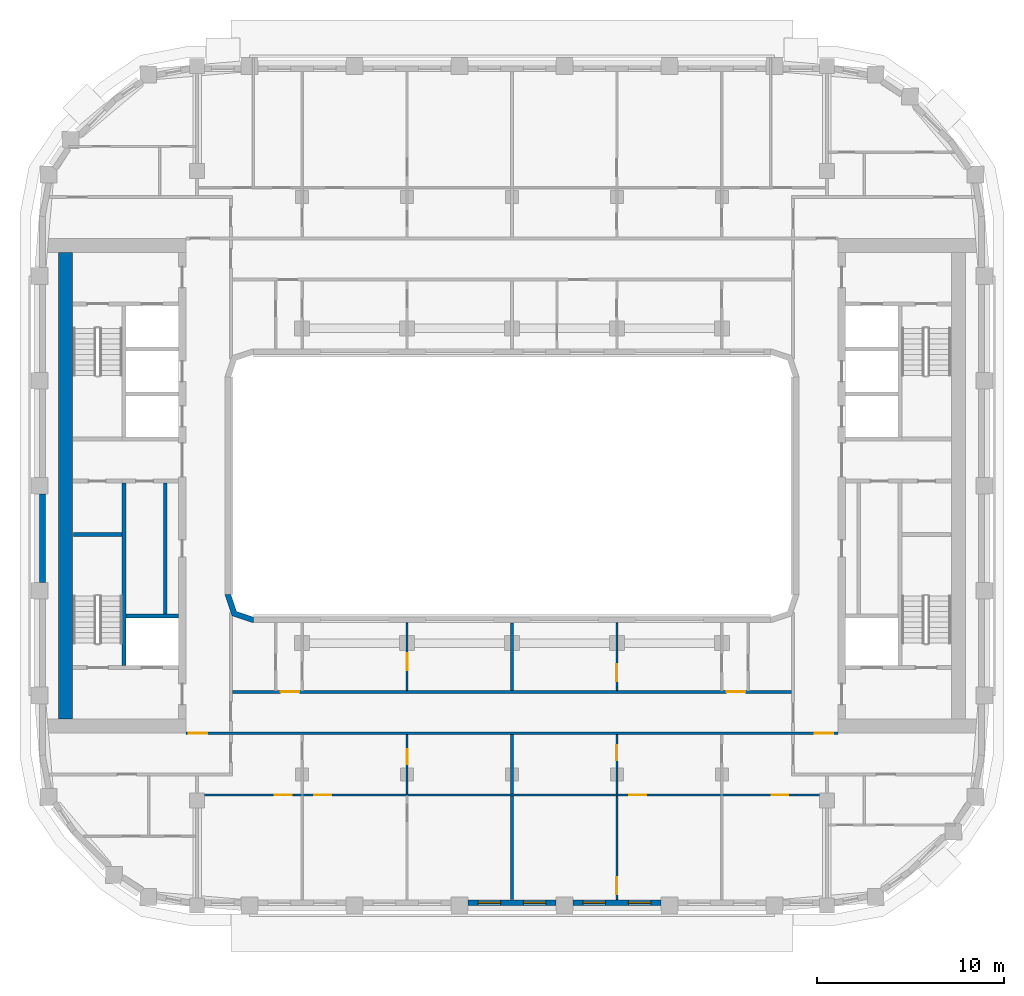
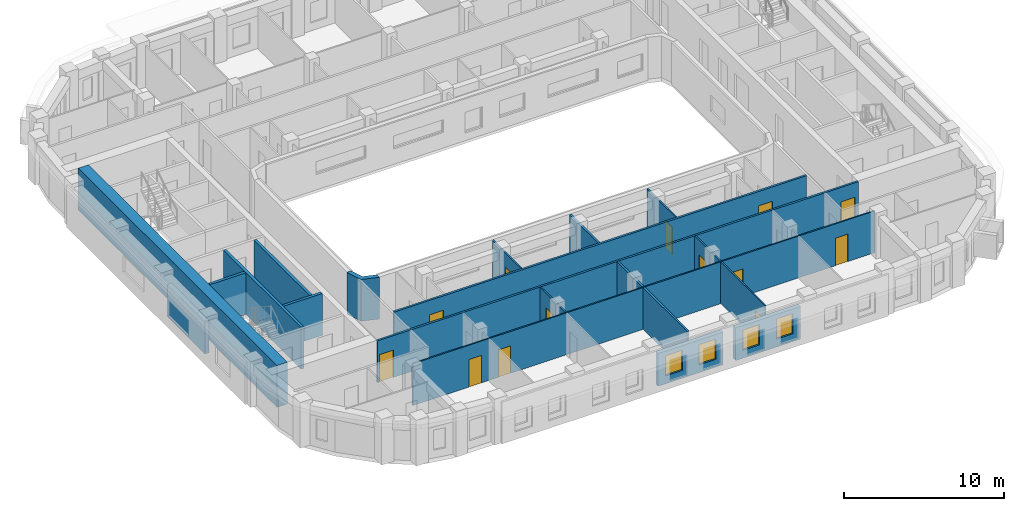
# One storey, part 3 of 21: 20 walls, 13 doors, 4 windows, 17 openings.
"""IFC4 building model written with IfcOpenShell, lengths in metres."""

from ifc_helpers import new_model, si_unit, direction, frame, frame_2d, origin, place, context, subcontext, project, spatial, polyline, rectangle, outline, extrude, material, layer, layer_set, type_object, element, fill, save


model = new_model("IFC4")

# Units and contexts
model_context = context("Model", 3, precision=1e-05, world=origin(), true_north=direction((0.0, 1.0)))
body_context = subcontext(model_context, "Body", "Model", "MODEL_VIEW")
ifc_project = project(units=[si_unit("LENGTHUNIT", "METRE"), si_unit("AREAUNIT", "SQUARE_METRE"), si_unit("VOLUMEUNIT", "CUBIC_METRE"), si_unit("PLANEANGLEUNIT", "RADIAN"), si_unit("MASSUNIT", "GRAM", prefix="KILO")], contexts=[model_context])

# Site, building, storey
site_placement = place(None, origin())
site = spatial("IfcSite", under=ifc_project, at=site_placement, CompositionType="ELEMENT")
building_placement = place(site_placement, origin())
building = spatial("IfcBuilding", under=site, at=building_placement, Name="Kiln Ring Residences", CompositionType="ELEMENT")
storey_placement = place(building_placement, frame((0.0, 0.0, 199.39990234375)))
storey = spatial("IfcBuildingStorey", under=building, at=storey_placement, Name="L51", CompositionType="ELEMENT", Elevation=199.39990234375)

# Walls
ifc_material_1 = material(Name="Gypsum board on steel studs", Category="steel")
ifc_layer_1 = layer(ifc_material_1, 0.199951171875)
ifc_layer_set_1 = layer_set([ifc_layer_1], Name="CORE-PARTITION-200")
wall_type_1 = type_object("IfcWallType", Name="CORE-PARTITION-200", PredefinedType="PARTITIONING", material=ifc_layer_set_1)
wall_1_placement = place(storey_placement, frame((-18.5, -6.85009765625, 0.0), z_axis=(0.0, 0.0, 1.0), x_axis=(0.0, 1.0, 0.0)))
element("IfcWall", 1, at=wall_1_placement, inside=storey, type_object=wall_type_1, Name="Core partition west L51 2", PredefinedType="PARTITIONING", context=body_context, shape_type="SweptSolid", body=[
    extrude(rectangle(XDim=7.0, YDim=0.199951171875, at=frame_2d((3.5, 0.0))), origin(), (0.0, 0.0, 1.0), 3.2001953125),
])
ifc_material_2 = material(Name="Gypsum shaft wall system")
ifc_layer_2 = layer(ifc_material_2, 0.199951171875)
ifc_layer_set_2 = layer_set([ifc_layer_2], Name="CORE-SHAFT-WALL-200")
wall_type_2 = type_object("IfcWallType", Name="CORE-SHAFT-WALL-200", PredefinedType="PARTITIONING", material=ifc_layer_set_2)
wall_2_placement = place(storey_placement, frame((-17.800048828125, -6.949951171875, 0.0), z_axis=(0.0, 0.0, 1.0), x_axis=(-1.0, 0.0, 0.0)))
element("IfcWall", 2, at=wall_2_placement, inside=storey, type_object=wall_type_2, Name="Core partition west L51 3", PredefinedType="PARTITIONING", context=body_context, shape_type="SweptSolid", body=[
    extrude(rectangle(XDim=2.800048828125, YDim=0.199951171875, at=frame_2d((1.39990234375, 0.0))), origin(), (0.0, 0.0, 1.0), 3.2001953125),
])
ifc_material_3 = material(Name="Concrete C40/50", Category="concrete")
ifc_layer_3 = layer(ifc_material_3, 0.199951171875)
ifc_layer_set_3 = layer_set([ifc_layer_3], Name="CORE-WALL-RC200")
wall_type_3 = type_object("IfcWallType", Name="CORE-WALL-RC200", PredefinedType="SHEAR", material=ifc_layer_set_3)
wall_3_placement = place(storey_placement, frame((-20.699951171875, -9.60009765625, 0.0), z_axis=(0.0, 0.0, 1.0), x_axis=(0.0, 1.0, 0.0)))
element("IfcWall", 3, at=wall_3_placement, inside=storey, type_object=wall_type_3, Name="Core wall west L51 2", PredefinedType="SHEAR", context=body_context, shape_type="SweptSolid", body=[
    extrude(rectangle(XDim=9.75, YDim=0.199951171875, at=frame_2d((4.875, 0.0))), origin(), (0.0, 0.0, 1.0), 3.2001953125),
])
wall_4_placement = place(storey_placement, frame((-20.800048828125, -2.60009765625, 0.0), z_axis=(0.0, 0.0, 1.0), x_axis=(-1.0, 0.0, 0.0)))
element("IfcWall", 4, at=wall_4_placement, inside=storey, type_object=wall_type_3, Name="Core wall west L51 10", PredefinedType="SHEAR", context=body_context, shape_type="SweptSolid", body=[
    extrude(rectangle(XDim=2.599853515625, YDim=0.199951171875, at=frame_2d((1.2998046875, 0.0))), origin(), (0.0, 0.0, 1.0), 3.2001953125),
])
ifc_material_4 = material(Name="Concrete C60/75", Category="concrete")
ifc_layer_4 = layer(ifc_material_4, 0.75)
ifc_layer_set_4 = layer_set([ifc_layer_4], Name="CORE-WALL-RC750")
wall_type_4 = type_object("IfcWallType", Name="CORE-WALL-RC750", PredefinedType="SHEAR", material=ifc_layer_set_4)
wall_5_placement = place(storey_placement, frame((-23.824951171875, -12.449951171875, 0.0), z_axis=(0.0, 0.0, 1.0), x_axis=(0.0, 1.0, 0.0)))
element("IfcWall", 5, at=wall_5_placement, inside=storey, type_object=wall_type_4, Name="Core wall west L51 7", PredefinedType="SHEAR", context=body_context, shape_type="SweptSolid", body=[
    extrude(rectangle(XDim=24.89990234375, YDim=0.75, at=frame_2d((12.449951171875, 0.0))), origin(), (0.0, 0.0, 1.0), 3.2001953125),
])

# Wall, openings, windows
ifc_material_5 = material(Name="Brick masonry, dark clay brick", Category="masonry")
ifc_layer_5 = layer(ifc_material_5, 0.300048828125)
ifc_layer_set_5 = layer_set([ifc_layer_5], Name="EW-300 BRICK WALL")
wall_type_5 = type_object("IfcWallType", Name="EW-300 BRICK WALL", PredefinedType="SOLIDWALL", material=ifc_layer_set_5)
wall_6_placement = place(storey_placement, frame((-2.35009765625, -22.25, 0.0), z_axis=(0.0, 0.0, 1.0), x_axis=(1.0, 0.0, 0.0)))
wall_6 = element("IfcWall", 6, at=wall_6_placement, inside=storey, type_object=wall_type_5, Name="Facade wall L51 7", PredefinedType="SOLIDWALL", context=body_context, shape_type="SweptSolid", body=[
    extrude(rectangle(XDim=4.7001953125, YDim=0.300048828125, at=frame_2d((2.35009765625, 0.0))), origin(), (0.0, 0.0, 1.0), 2.5),
])
opening_1_placement = place(wall_6_placement, frame((0.53759765625, 0.0, 0.60009765625)))
opening_1 = element("IfcOpeningElement", 7, at=opening_1_placement, cuts=wall_6, Name="Opening W1", PredefinedType="OPENING", context=body_context, shape_type="SweptSolid", body=[
    extrude(rectangle(XDim=1.199951171875, YDim=1.550048828125, at=frame_2d((0.60009765625, 0.77490234375))), frame((0.0, 0.159912109375, 0.0), z_axis=(0.0, -1.0, 0.0), x_axis=(1.0, 0.0, 0.0)), (0.0, 0.0, 1.0), 0.320068359375),
])
opening_2_placement = place(wall_6_placement, frame((2.96240234375, 0.0, 0.60009765625)))
opening_2 = element("IfcOpeningElement", 8, at=opening_2_placement, cuts=wall_6, Name="Opening W1", PredefinedType="OPENING", context=body_context, shape_type="SweptSolid", body=[
    extrude(rectangle(XDim=1.199951171875, YDim=1.550048828125, at=frame_2d((0.60009765625, 0.77490234375))), frame((0.0, 0.159912109375, 0.0), z_axis=(0.0, -1.0, 0.0), x_axis=(1.0, 0.0, 0.0)), (0.0, 0.0, 1.0), 0.320068359375),
])
ifc_material_6 = material(Name="Aluminium frame with double glazing", Category="aluminium")
window_type = type_object("IfcWindowType", Name="WINDOW 1200 x 1550", PartitioningType="SINGLE_PANEL", PredefinedType="WINDOW", material=ifc_material_6)
window_1_placement = place(opening_1_placement, origin())
window_1 = element("IfcWindow", 9, at=window_1_placement, inside=storey, type_object=window_type, Name="Window L51 7", OverallHeight=1.550048828125, OverallWidth=1.199951171875, PartitioningType="SINGLE_PANEL", PredefinedType="WINDOW", context=body_context, shape_type="SweptSolid", body=[
    extrude(rectangle(XDim=1.199951171875, YDim=1.550048828125, at=frame_2d((0.60009765625, 0.77490234375))), frame((0.0, 0.030029296875, 0.0), z_axis=(0.0, -1.0, 0.0), x_axis=(1.0, 0.0, 0.0)), (0.0, 0.0, 1.0), 0.06005859375),
])
fill(opening_1, window_1)
window_2_placement = place(opening_2_placement, origin())
window_2 = element("IfcWindow", 10, at=window_2_placement, inside=storey, type_object=window_type, Name="Window L51 8", OverallHeight=1.550048828125, OverallWidth=1.199951171875, PartitioningType="SINGLE_PANEL", PredefinedType="WINDOW", context=body_context, shape_type="SweptSolid", body=[
    extrude(rectangle(XDim=1.199951171875, YDim=1.550048828125, at=frame_2d((0.60009765625, 0.77490234375))), frame((0.0, 0.030029296875, 0.0), z_axis=(0.0, -1.0, 0.0), x_axis=(1.0, 0.0, 0.0)), (0.0, 0.0, 1.0), 0.06005859375),
])
fill(opening_2, window_2)

wall_7_placement = place(storey_placement, frame((3.25, -22.25, 0.0), z_axis=(0.0, 0.0, 1.0), x_axis=(1.0, 0.0, 0.0)))
wall_7 = element("IfcWall", 11, at=wall_7_placement, inside=storey, type_object=wall_type_5, Name="Facade wall L51 8", PredefinedType="SOLIDWALL", context=body_context, shape_type="SweptSolid", body=[
    extrude(rectangle(XDim=4.699951171875, YDim=0.300048828125, at=frame_2d((2.35009765625, 0.0))), origin(), (0.0, 0.0, 1.0), 2.5),
])
opening_3_placement = place(wall_7_placement, frame((0.53759765625, 0.0, 0.60009765625)))
opening_3 = element("IfcOpeningElement", 12, at=opening_3_placement, cuts=wall_7, Name="Opening W1", PredefinedType="OPENING", context=body_context, shape_type="SweptSolid", body=[
    extrude(rectangle(XDim=1.199951171875, YDim=1.550048828125, at=frame_2d((0.60009765625, 0.77490234375))), frame((0.0, 0.159912109375, 0.0), z_axis=(0.0, -1.0, 0.0), x_axis=(1.0, 0.0, 0.0)), (0.0, 0.0, 1.0), 0.320068359375),
])
opening_4_placement = place(wall_7_placement, frame((2.96240234375, 0.0, 0.60009765625)))
opening_4 = element("IfcOpeningElement", 13, at=opening_4_placement, cuts=wall_7, Name="Opening W1", PredefinedType="OPENING", context=body_context, shape_type="SweptSolid", body=[
    extrude(rectangle(XDim=1.199951171875, YDim=1.550048828125, at=frame_2d((0.60009765625, 0.77490234375))), frame((0.0, 0.159912109375, 0.0), z_axis=(0.0, -1.0, 0.0), x_axis=(1.0, 0.0, 0.0)), (0.0, 0.0, 1.0), 0.320068359375),
])
window_3_placement = place(opening_3_placement, origin())
window_3 = element("IfcWindow", 14, at=window_3_placement, inside=storey, type_object=window_type, Name="Window L51 9", OverallHeight=1.550048828125, OverallWidth=1.199951171875, PartitioningType="SINGLE_PANEL", PredefinedType="WINDOW", context=body_context, shape_type="SweptSolid", body=[
    extrude(rectangle(XDim=1.199951171875, YDim=1.550048828125, at=frame_2d((0.60009765625, 0.77490234375))), frame((0.0, 0.030029296875, 0.0), z_axis=(0.0, -1.0, 0.0), x_axis=(1.0, 0.0, 0.0)), (0.0, 0.0, 1.0), 0.06005859375),
])
fill(opening_3, window_3)
window_4_placement = place(opening_4_placement, origin())
window_4 = element("IfcWindow", 15, at=window_4_placement, inside=storey, type_object=window_type, Name="Window L51 10", OverallHeight=1.550048828125, OverallWidth=1.199951171875, PartitioningType="SINGLE_PANEL", PredefinedType="WINDOW", context=body_context, shape_type="SweptSolid", body=[
    extrude(rectangle(XDim=1.199951171875, YDim=1.550048828125, at=frame_2d((0.60009765625, 0.77490234375))), frame((0.0, 0.030029296875, 0.0), z_axis=(0.0, -1.0, 0.0), x_axis=(1.0, 0.0, 0.0)), (0.0, 0.0, 1.0), 0.06005859375),
])
fill(opening_4, window_4)

# Walls
wall_8_placement = place(storey_placement, frame((-25.050048828125, -0.449951171875, 0.0), z_axis=(0.0, 0.0, 1.0), x_axis=(0.0, -1.0, 0.0)))
element("IfcWall", 16, at=wall_8_placement, inside=storey, type_object=wall_type_5, Name="Facade wall L51 42", PredefinedType="SOLIDWALL", context=body_context, shape_type="SweptSolid", body=[
    extrude(rectangle(XDim=4.699951171875, YDim=0.300048828125, at=frame_2d((2.35009765625, 0.0))), origin(), (0.0, 0.0, 1.0), 2.5),
])
wall_9_placement = place(storey_placement, origin())
element("IfcWall", 17, at=wall_9_placement, inside=storey, type_object=wall_type_5, Name="Corner wall L51 4", PredefinedType="SOLIDWALL", context=body_context, shape_type="SweptSolid", body=[
    extrude(outline(polyline([(-14.937255859375, -6.937255859375), (-13.8486328125, -7.300048828125), (-13.800048828125, -7.300048828125), (-13.800048828125, -7.0), (-14.699951171875, -6.699951171875), (-15.0, -5.800048828125), (-15.300048828125, -5.800048828125), (-15.300048828125, -5.8486328125), (-14.937255859375, -6.937255859375)])), origin(), (0.0, 0.0, 1.0), 3.2001953125),
])

# Wall, openings, doors
ifc_material_7 = material(Name="Gypsum board on steel studs", Category="steel")
ifc_layer_6 = layer(ifc_material_7, 0.10009765625)
ifc_layer_set_6 = layer_set([ifc_layer_6], Name="PARTITION-100")
wall_type_6 = type_object("IfcWallType", Name="PARTITION-100", PredefinedType="PARTITIONING", material=ifc_layer_set_6)
wall_10_placement = place(storey_placement, frame((-16.72509765625, -16.5, 0.0), z_axis=(0.0, 0.0, 1.0), x_axis=(1.0, 0.0, 0.0)))
wall_10 = element("IfcWall", 18, at=wall_10_placement, inside=storey, type_object=wall_type_6, Name="Partition 002", PredefinedType="PARTITIONING", context=body_context, shape_type="SweptSolid", body=[
    extrude(rectangle(XDim=33.4501953125, YDim=0.10009765625, at=frame_2d((16.72509765625, 0.0))), origin(), (0.0, 0.0, 1.0), 3.2001953125),
])
opening_5_placement = place(wall_10_placement, frame((4.074951171875, 0.0, 0.0)))
opening_5 = element("IfcOpeningElement", 19, at=opening_5_placement, cuts=wall_10, Name="Opening L51-D048", PredefinedType="OPENING", context=body_context, shape_type="SweptSolid", body=[
    extrude(rectangle(XDim=0.89990234375, YDim=2.10009765625, at=frame_2d((0.449951171875, 1.050048828125))), frame((0.0, 0.06005859375, 0.0), z_axis=(0.0, -1.0, 0.0), x_axis=(1.0, 0.0, 0.0)), (0.0, 0.0, 1.0), 0.1201171875),
])
opening_6_placement = place(wall_10_placement, frame((6.175048828125, 0.0, 0.0)))
opening_6 = element("IfcOpeningElement", 20, at=opening_6_placement, cuts=wall_10, Name="Opening L51-D049", PredefinedType="OPENING", context=body_context, shape_type="SweptSolid", body=[
    extrude(rectangle(XDim=0.89990234375, YDim=2.10009765625, at=frame_2d((0.449951171875, 1.050048828125))), frame((0.0, 0.06005859375, 0.0), z_axis=(0.0, -1.0, 0.0), x_axis=(1.0, 0.0, 0.0)), (0.0, 0.0, 1.0), 0.1201171875),
])
opening_7_placement = place(wall_10_placement, frame((30.574951171875, 0.0, 0.0)))
opening_7 = element("IfcOpeningElement", 21, at=opening_7_placement, cuts=wall_10, Name="Opening L51-D054", PredefinedType="OPENING", context=body_context, shape_type="SweptSolid", body=[
    extrude(rectangle(XDim=0.89990234375, YDim=2.10009765625, at=frame_2d((0.449951171875, 1.050048828125))), frame((0.0, 0.06005859375, 0.0), z_axis=(0.0, -1.0, 0.0), x_axis=(1.0, 0.0, 0.0)), (0.0, 0.0, 1.0), 0.1201171875),
])
opening_8_placement = place(wall_10_placement, frame((22.97509765625, 0.0, 0.0)))
opening_8 = element("IfcOpeningElement", 22, at=opening_8_placement, cuts=wall_10, Name="Opening L51-D055", PredefinedType="OPENING", context=body_context, shape_type="SweptSolid", body=[
    extrude(rectangle(XDim=0.89990234375, YDim=2.10009765625, at=frame_2d((0.449951171875, 1.050048828125))), frame((0.0, 0.06005859375, 0.0), z_axis=(0.0, -1.0, 0.0), x_axis=(1.0, 0.0, 0.0)), (0.0, 0.0, 1.0), 0.1201171875),
])
ifc_material_8 = material(Name="Timber door leaf", Category="wood")
door_type_1 = type_object("IfcDoorType", Name="FLAT-DOOR-900-PL", OperationType="SINGLE_SWING_LEFT", PredefinedType="DOOR", material=ifc_material_8)
door_1_placement = place(opening_5_placement, origin())
door_1 = element("IfcDoor", 23, at=door_1_placement, inside=storey, type_object=door_type_1, Name="Door L51-D048", OperationType="SINGLE_SWING_RIGHT", OverallHeight=2.10009765625, OverallWidth=0.89990234375, PredefinedType="DOOR", context=body_context, shape_type="SweptSolid", body=[
    extrude(rectangle(XDim=0.89990234375, YDim=2.10009765625, at=frame_2d((0.449951171875, 1.050048828125))), frame((0.0, 0.02490234375, 0.0), z_axis=(0.0, -1.0, 0.0), x_axis=(1.0, 0.0, 0.0)), (0.0, 0.0, 1.0), 0.050048828125),
])
fill(opening_5, door_1)
door_2_placement = place(opening_6_placement, origin())
door_2 = element("IfcDoor", 24, at=door_2_placement, inside=storey, type_object=door_type_1, Name="Door L51-D049", OperationType="SINGLE_SWING_LEFT", OverallHeight=2.10009765625, OverallWidth=0.89990234375, PredefinedType="DOOR", context=body_context, shape_type="SweptSolid", body=[
    extrude(rectangle(XDim=0.89990234375, YDim=2.10009765625, at=frame_2d((0.449951171875, 1.050048828125))), frame((0.0, 0.02490234375, 0.0), z_axis=(0.0, -1.0, 0.0), x_axis=(1.0, 0.0, 0.0)), (0.0, 0.0, 1.0), 0.050048828125),
])
fill(opening_6, door_2)
door_3_placement = place(opening_7_placement, origin())
door_3 = element("IfcDoor", 25, at=door_3_placement, inside=storey, type_object=door_type_1, Name="Door L51-D054", OperationType="SINGLE_SWING_RIGHT", OverallHeight=2.10009765625, OverallWidth=0.89990234375, PredefinedType="DOOR", context=body_context, shape_type="SweptSolid", body=[
    extrude(rectangle(XDim=0.89990234375, YDim=2.10009765625, at=frame_2d((0.449951171875, 1.050048828125))), frame((0.0, 0.02490234375, 0.0), z_axis=(0.0, -1.0, 0.0), x_axis=(1.0, 0.0, 0.0)), (0.0, 0.0, 1.0), 0.050048828125),
])
fill(opening_7, door_3)
door_4_placement = place(opening_8_placement, origin())
door_4 = element("IfcDoor", 26, at=door_4_placement, inside=storey, type_object=door_type_1, Name="Door L51-D055", OperationType="SINGLE_SWING_LEFT", OverallHeight=2.10009765625, OverallWidth=0.89990234375, PredefinedType="DOOR", context=body_context, shape_type="SweptSolid", body=[
    extrude(rectangle(XDim=0.89990234375, YDim=2.10009765625, at=frame_2d((0.449951171875, 1.050048828125))), frame((0.0, 0.02490234375, 0.0), z_axis=(0.0, -1.0, 0.0), x_axis=(1.0, 0.0, 0.0)), (0.0, 0.0, 1.0), 0.050048828125),
])
fill(opening_8, door_4)

# Wall, opening, door
wall_11_placement = place(storey_placement, frame((-5.60009765625, -16.449951171875, 0.0), z_axis=(0.0, 0.0, 1.0), x_axis=(0.0, 1.0, 0.0)))
wall_11 = element("IfcWall", 27, at=wall_11_placement, inside=storey, type_object=wall_type_6, Name="Partition 032", PredefinedType="PARTITIONING", context=body_context, shape_type="SweptSolid", body=[
    extrude(rectangle(XDim=3.175048828125, YDim=0.10009765625, at=frame_2d((1.58740234375, 0.0))), origin(), (0.0, 0.0, 1.0), 3.2001953125),
])
opening_9_placement = place(wall_11_placement, frame((1.60009765625, 0.0, 0.0)))
opening_9 = element("IfcOpeningElement", 28, at=opening_9_placement, cuts=wall_11, Name="Opening L51-D047", PredefinedType="OPENING", context=body_context, shape_type="SweptSolid", body=[
    extrude(rectangle(XDim=0.800048828125, YDim=2.10009765625, at=frame_2d((0.39990234375, 1.050048828125))), frame((0.0, 0.06005859375, 0.0), z_axis=(0.0, -1.0, 0.0), x_axis=(1.0, 0.0, 0.0)), (0.0, 0.0, 1.0), 0.1201171875),
])
ifc_material_9 = material(Name="Timber door leaf", Category="wood")
door_type_2 = type_object("IfcDoorType", Name="FLAT-DOOR-800-PL", OperationType="SINGLE_SWING_LEFT", PredefinedType="DOOR", material=ifc_material_9)
door_5_placement = place(opening_9_placement, origin())
door_5 = element("IfcDoor", 29, at=door_5_placement, inside=storey, type_object=door_type_2, Name="Door L51-D047", OperationType="SINGLE_SWING_RIGHT", OverallHeight=2.10009765625, OverallWidth=0.800048828125, PredefinedType="DOOR", context=body_context, shape_type="SweptSolid", body=[
    extrude(rectangle(XDim=0.800048828125, YDim=2.10009765625, at=frame_2d((0.39990234375, 1.050048828125))), frame((0.0, 0.02490234375, 0.0), z_axis=(0.0, -1.0, 0.0), x_axis=(1.0, 0.0, 0.0)), (0.0, 0.0, 1.0), 0.050048828125),
])
fill(opening_9, door_5)

wall_12_placement = place(storey_placement, frame((-5.60009765625, -10.925048828125, 0.0), z_axis=(0.0, 0.0, 1.0), x_axis=(0.0, 1.0, 0.0)))
wall_12 = element("IfcWall", 30, at=wall_12_placement, inside=storey, type_object=wall_type_6, Name="Partition 033", PredefinedType="PARTITIONING", context=body_context, shape_type="SweptSolid", body=[
    extrude(rectangle(XDim=3.60498046875, YDim=0.10009765625, at=frame_2d((1.802490234375, 0.0))), origin(), (0.0, 0.0, 1.0), 3.2001953125),
])
opening_10_placement = place(wall_12_placement, frame((1.075927734375, 0.0, 0.0)))
opening_10 = element("IfcOpeningElement", 31, at=opening_10_placement, cuts=wall_12, Name="Opening L51-D040", PredefinedType="OPENING", context=body_context, shape_type="SweptSolid", body=[
    extrude(rectangle(XDim=0.89990234375, YDim=2.10009765625, at=frame_2d((0.449951171875, 1.050048828125))), frame((0.0, 0.06005859375, 0.0), z_axis=(0.0, -1.0, 0.0), x_axis=(1.0, 0.0, 0.0)), (0.0, 0.0, 1.0), 0.1201171875),
])
door_6_placement = place(opening_10_placement, origin())
door_6 = element("IfcDoor", 32, at=door_6_placement, inside=storey, type_object=door_type_1, Name="Door L51-D040", OperationType="SINGLE_SWING_LEFT", OverallHeight=2.10009765625, OverallWidth=0.89990234375, PredefinedType="DOOR", context=body_context, shape_type="SweptSolid", body=[
    extrude(rectangle(XDim=0.89990234375, YDim=2.10009765625, at=frame_2d((0.449951171875, 1.050048828125))), frame((0.0, 0.02490234375, 0.0), z_axis=(0.0, -1.0, 0.0), x_axis=(1.0, 0.0, 0.0)), (0.0, 0.0, 1.0), 0.050048828125),
])
fill(opening_10, door_6)

wall_13_placement = place(storey_placement, frame((5.60009765625, -22.080078125, 0.0), z_axis=(0.0, 0.0, 1.0), x_axis=(0.0, 1.0, 0.0)))
wall_13 = element("IfcWall", 33, at=wall_13_placement, inside=storey, type_object=wall_type_6, Name="Partition 044", PredefinedType="PARTITIONING", context=body_context, shape_type="SweptSolid", body=[
    extrude(rectangle(XDim=5.530029296875, YDim=0.10009765625, at=frame_2d((2.76513671875, 0.0))), origin(), (0.0, 0.0, 1.0), 3.2001953125),
])
opening_11_placement = place(wall_13_placement, frame((0.280029296875, 0.0, 0.0)))
opening_11 = element("IfcOpeningElement", 34, at=opening_11_placement, cuts=wall_13, Name="Opening L51-D056", PredefinedType="OPENING", context=body_context, shape_type="SweptSolid", body=[
    extrude(rectangle(XDim=0.89990234375, YDim=2.10009765625, at=frame_2d((0.449951171875, 1.050048828125))), frame((0.0, 0.06005859375, 0.0), z_axis=(0.0, -1.0, 0.0), x_axis=(1.0, 0.0, 0.0)), (0.0, 0.0, 1.0), 0.1201171875),
])
door_7_placement = place(opening_11_placement, origin())
door_7 = element("IfcDoor", 35, at=door_7_placement, inside=storey, type_object=door_type_1, Name="Door L51-D056", OperationType="SINGLE_SWING_RIGHT", OverallHeight=2.10009765625, OverallWidth=0.89990234375, PredefinedType="DOOR", context=body_context, shape_type="SweptSolid", body=[
    extrude(rectangle(XDim=0.89990234375, YDim=2.10009765625, at=frame_2d((0.449951171875, 1.050048828125))), frame((0.0, 0.02490234375, 0.0), z_axis=(0.0, -1.0, 0.0), x_axis=(1.0, 0.0, 0.0)), (0.0, 0.0, 1.0), 0.050048828125),
])
fill(opening_11, door_7)

wall_14_placement = place(storey_placement, frame((5.60009765625, -16.449951171875, 0.0), z_axis=(0.0, 0.0, 1.0), x_axis=(0.0, 1.0, 0.0)))
wall_14 = element("IfcWall", 36, at=wall_14_placement, inside=storey, type_object=wall_type_6, Name="Partition 045", PredefinedType="PARTITIONING", context=body_context, shape_type="SweptSolid", body=[
    extrude(rectangle(XDim=3.175048828125, YDim=0.10009765625, at=frame_2d((1.58740234375, 0.0))), origin(), (0.0, 0.0, 1.0), 3.2001953125),
])
opening_12_placement = place(wall_14_placement, frame((1.799072265625, 0.0, 0.0)))
opening_12 = element("IfcOpeningElement", 37, at=opening_12_placement, cuts=wall_14, Name="Opening L51-D053", PredefinedType="OPENING", context=body_context, shape_type="SweptSolid", body=[
    extrude(rectangle(XDim=0.800048828125, YDim=2.10009765625, at=frame_2d((0.39990234375, 1.050048828125))), frame((0.0, 0.06005859375, 0.0), z_axis=(0.0, -1.0, 0.0), x_axis=(1.0, 0.0, 0.0)), (0.0, 0.0, 1.0), 0.1201171875),
])
door_8_placement = place(opening_12_placement, origin())
door_8 = element("IfcDoor", 38, at=door_8_placement, inside=storey, type_object=door_type_2, Name="Door L51-D053", OperationType="SINGLE_SWING_LEFT", OverallHeight=2.10009765625, OverallWidth=0.800048828125, PredefinedType="DOOR", context=body_context, shape_type="SweptSolid", body=[
    extrude(rectangle(XDim=0.800048828125, YDim=2.10009765625, at=frame_2d((0.39990234375, 1.050048828125))), frame((0.0, 0.02490234375, 0.0), z_axis=(0.0, -1.0, 0.0), x_axis=(1.0, 0.0, 0.0)), (0.0, 0.0, 1.0), 0.050048828125),
])
fill(opening_12, door_8)

wall_15_placement = place(storey_placement, frame((5.60009765625, -10.925048828125, 0.0), z_axis=(0.0, 0.0, 1.0), x_axis=(0.0, 1.0, 0.0)))
wall_15 = element("IfcWall", 39, at=wall_15_placement, inside=storey, type_object=wall_type_6, Name="Partition 046", PredefinedType="PARTITIONING", context=body_context, shape_type="SweptSolid", body=[
    extrude(rectangle(XDim=3.60498046875, YDim=0.10009765625, at=frame_2d((1.802490234375, 0.0))), origin(), (0.0, 0.0, 1.0), 3.2001953125),
])
opening_13_placement = place(wall_15_placement, frame((0.5048828125, 0.0, 0.0)))
opening_13 = element("IfcOpeningElement", 40, at=opening_13_placement, cuts=wall_15, Name="Opening L51-D044", PredefinedType="OPENING", context=body_context, shape_type="SweptSolid", body=[
    extrude(rectangle(XDim=0.89990234375, YDim=2.10009765625, at=frame_2d((0.449951171875, 1.050048828125))), frame((0.0, 0.06005859375, 0.0), z_axis=(0.0, -1.0, 0.0), x_axis=(1.0, 0.0, 0.0)), (0.0, 0.0, 1.0), 0.1201171875),
])
door_9_placement = place(opening_13_placement, origin())
door_9 = element("IfcDoor", 41, at=door_9_placement, inside=storey, type_object=door_type_1, Name="Door L51-D044", OperationType="SINGLE_SWING_RIGHT", OverallHeight=2.10009765625, OverallWidth=0.89990234375, PredefinedType="DOOR", context=body_context, shape_type="SweptSolid", body=[
    extrude(rectangle(XDim=0.89990234375, YDim=2.10009765625, at=frame_2d((0.449951171875, 1.050048828125))), frame((0.0, 0.02490234375, 0.0), z_axis=(0.0, -1.0, 0.0), x_axis=(1.0, 0.0, 0.0)), (0.0, 0.0, 1.0), 0.050048828125),
])
fill(opening_13, door_9)

# Wall, openings, doors
ifc_material_10 = material(Name="Brick masonry partition", Category="masonry")
ifc_layer_7 = layer(ifc_material_10, 0.14990234375)
ifc_layer_set_7 = layer_set([ifc_layer_7], Name="PARTITION-150-ei60")
wall_type_7 = type_object("IfcWallType", Name="PARTITION-150-ei60", PredefinedType="PARTITIONING", material=ifc_layer_set_7)
wall_16_placement = place(storey_placement, frame((-17.39990234375, -13.199951171875, 0.0), z_axis=(0.0, 0.0, 1.0), x_axis=(1.0, 0.0, 0.0)))
wall_16 = element("IfcWall", 42, at=wall_16_placement, inside=storey, type_object=wall_type_7, Name="Partition 005", PredefinedType="PARTITIONING", context=body_context, shape_type="SweptSolid", body=[
    extrude(rectangle(XDim=34.7998046875, YDim=0.14990234375, at=frame_2d((17.39990234375, 0.0))), origin(), (0.0, 0.0, 1.0), 3.2001953125),
])
opening_14_placement = place(wall_16_placement, frame((0.14990234375, 0.0, 0.0)))
opening_14 = element("IfcOpeningElement", 43, at=opening_14_placement, cuts=wall_16, Name="Opening L51-D007", PredefinedType="OPENING", context=body_context, shape_type="SweptSolid", body=[
    extrude(rectangle(XDim=1.0, YDim=2.10009765625, at=frame_2d((0.5, 1.050048828125))), frame((0.0, 0.0849609375, 0.0), z_axis=(0.0, -1.0, 0.0), x_axis=(1.0, 0.0, 0.0)), (0.0, 0.0, 1.0), 0.169921875),
])
opening_15_placement = place(wall_16_placement, frame((33.550048828125, 0.0, 0.0)))
opening_15 = element("IfcOpeningElement", 44, at=opening_15_placement, cuts=wall_16, Name="Opening L51-D008", PredefinedType="OPENING", context=body_context, shape_type="SweptSolid", body=[
    extrude(rectangle(XDim=1.0, YDim=2.10009765625, at=frame_2d((0.5, 1.050048828125))), frame((0.0, 0.0849609375, 0.0), z_axis=(0.0, -1.0, 0.0), x_axis=(1.0, 0.0, 0.0)), (0.0, 0.0, 1.0), 0.169921875),
])
ifc_material_11 = material(Name="Steel faced fire door leaf", Category="steel")
door_type_3 = type_object("IfcDoorType", Name="FLAT-DOOR-1000-FR", OperationType="SINGLE_SWING_LEFT", PredefinedType="DOOR", material=ifc_material_11)
door_10_placement = place(opening_14_placement, origin())
door_10 = element("IfcDoor", 45, at=door_10_placement, inside=storey, type_object=door_type_3, Name="Door L51-D007", OperationType="SINGLE_SWING_RIGHT", OverallHeight=2.10009765625, OverallWidth=1.0, PredefinedType="DOOR", context=body_context, shape_type="SweptSolid", body=[
    extrude(rectangle(XDim=1.0, YDim=2.10009765625, at=frame_2d((0.5, 1.050048828125))), frame((0.0, 0.02490234375, 0.0), z_axis=(0.0, -1.0, 0.0), x_axis=(1.0, 0.0, 0.0)), (0.0, 0.0, 1.0), 0.050048828125),
])
fill(opening_14, door_10)
door_11_placement = place(opening_15_placement, origin())
door_11 = element("IfcDoor", 46, at=door_11_placement, inside=storey, type_object=door_type_3, Name="Door L51-D008", OperationType="SINGLE_SWING_LEFT", OverallHeight=2.10009765625, OverallWidth=1.0, PredefinedType="DOOR", context=body_context, shape_type="SweptSolid", body=[
    extrude(rectangle(XDim=1.0, YDim=2.10009765625, at=frame_2d((0.5, 1.050048828125))), frame((0.0, 0.02490234375, 0.0), z_axis=(0.0, -1.0, 0.0), x_axis=(1.0, 0.0, 0.0)), (0.0, 0.0, 1.0), 0.050048828125),
])
fill(opening_15, door_11)

wall_17_placement = place(storey_placement, frame((-14.925048828125, -11.0, 0.0), z_axis=(0.0, 0.0, 1.0), x_axis=(1.0, 0.0, 0.0)))
wall_17 = element("IfcWall", 47, at=wall_17_placement, inside=storey, type_object=wall_type_7, Name="Partition 006", PredefinedType="PARTITIONING", context=body_context, shape_type="SweptSolid", body=[
    extrude(rectangle(XDim=29.85009765625, YDim=0.14990234375, at=frame_2d((14.925048828125, 0.0))), origin(), (0.0, 0.0, 1.0), 3.2001953125),
])
opening_16_placement = place(wall_17_placement, frame((2.574951171875, 0.0, 0.0)))
opening_16 = element("IfcOpeningElement", 48, at=opening_16_placement, cuts=wall_17, Name="Opening L51-D037", PredefinedType="OPENING", context=body_context, shape_type="SweptSolid", body=[
    extrude(rectangle(XDim=1.0, YDim=2.10009765625, at=frame_2d((0.5, 1.050048828125))), frame((0.0, 0.0849609375, 0.0), z_axis=(0.0, -1.0, 0.0), x_axis=(1.0, 0.0, 0.0)), (0.0, 0.0, 1.0), 0.169921875),
])
opening_17_placement = place(wall_17_placement, frame((26.375, 0.0, 0.0)))
opening_17 = element("IfcOpeningElement", 49, at=opening_17_placement, cuts=wall_17, Name="Opening L51-D041", PredefinedType="OPENING", context=body_context, shape_type="SweptSolid", body=[
    extrude(rectangle(XDim=1.0, YDim=2.10009765625, at=frame_2d((0.5, 1.050048828125))), frame((0.0, 0.0849609375, 0.0), z_axis=(0.0, -1.0, 0.0), x_axis=(1.0, 0.0, 0.0)), (0.0, 0.0, 1.0), 0.169921875),
])
door_12_placement = place(opening_16_placement, origin())
door_12 = element("IfcDoor", 50, at=door_12_placement, inside=storey, type_object=door_type_3, Name="Door L51-D037", OperationType="SINGLE_SWING_LEFT", OverallHeight=2.10009765625, OverallWidth=1.0, PredefinedType="DOOR", context=body_context, shape_type="SweptSolid", body=[
    extrude(rectangle(XDim=1.0, YDim=2.10009765625, at=frame_2d((0.5, 1.050048828125))), frame((0.0, 0.02490234375, 0.0), z_axis=(0.0, -1.0, 0.0), x_axis=(1.0, 0.0, 0.0)), (0.0, 0.0, 1.0), 0.050048828125),
])
fill(opening_16, door_12)
door_13_placement = place(opening_17_placement, origin())
door_13 = element("IfcDoor", 51, at=door_13_placement, inside=storey, type_object=door_type_3, Name="Door L51-D041", OperationType="SINGLE_SWING_LEFT", OverallHeight=2.10009765625, OverallWidth=1.0, PredefinedType="DOOR", context=body_context, shape_type="SweptSolid", body=[
    extrude(rectangle(XDim=1.0, YDim=2.10009765625, at=frame_2d((0.5, 1.050048828125))), frame((0.0, 0.02490234375, 0.0), z_axis=(0.0, -1.0, 0.0), x_axis=(1.0, 0.0, 0.0)), (0.0, 0.0, 1.0), 0.050048828125),
])
fill(opening_17, door_13)

# Walls
wall_18_placement = place(storey_placement, frame((0.0, -22.080078125, 0.0), z_axis=(0.0, 0.0, 1.0), x_axis=(0.0, 1.0, 0.0)))
element("IfcWall", 52, at=wall_18_placement, inside=storey, type_object=wall_type_7, Name="Partition 037", PredefinedType="PARTITIONING", context=body_context, shape_type="SweptSolid", body=[
    extrude(rectangle(XDim=5.530029296875, YDim=0.14990234375, at=frame_2d((2.76513671875, 0.0))), origin(), (0.0, 0.0, 1.0), 3.2001953125),
])
wall_19_placement = place(storey_placement, frame((0.0, -16.449951171875, 0.0), z_axis=(0.0, 0.0, 1.0), x_axis=(0.0, 1.0, 0.0)))
element("IfcWall", 53, at=wall_19_placement, inside=storey, type_object=wall_type_7, Name="Partition 038", PredefinedType="PARTITIONING", context=body_context, shape_type="SweptSolid", body=[
    extrude(rectangle(XDim=3.175048828125, YDim=0.14990234375, at=frame_2d((1.58740234375, 0.0))), origin(), (0.0, 0.0, 1.0), 3.2001953125),
])
wall_20_placement = place(storey_placement, frame((0.0, -10.925048828125, 0.0), z_axis=(0.0, 0.0, 1.0), x_axis=(0.0, 1.0, 0.0)))
element("IfcWall", 54, at=wall_20_placement, inside=storey, type_object=wall_type_7, Name="Partition 039", PredefinedType="PARTITIONING", context=body_context, shape_type="SweptSolid", body=[
    extrude(rectangle(XDim=3.60498046875, YDim=0.14990234375, at=frame_2d((1.802490234375, 0.0))), origin(), (0.0, 0.0, 1.0), 3.2001953125),
])

save(model, "model.ifc")
